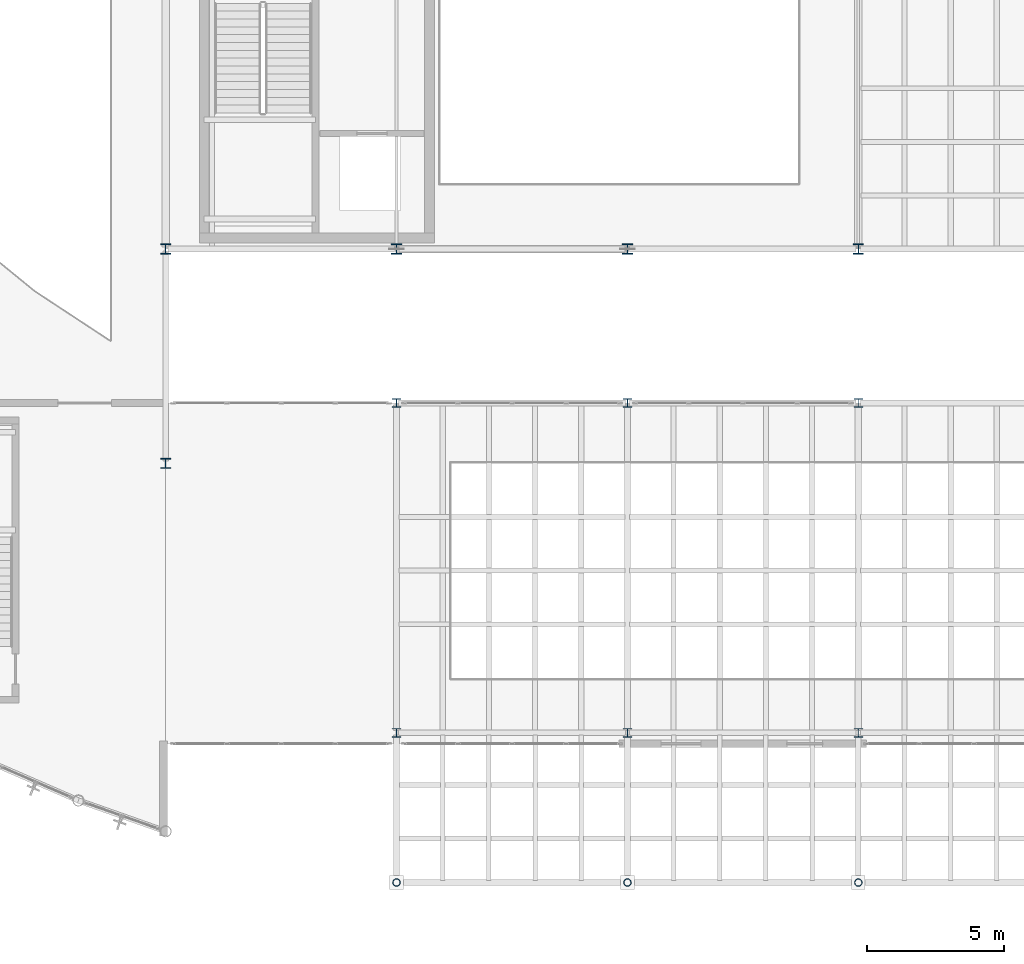
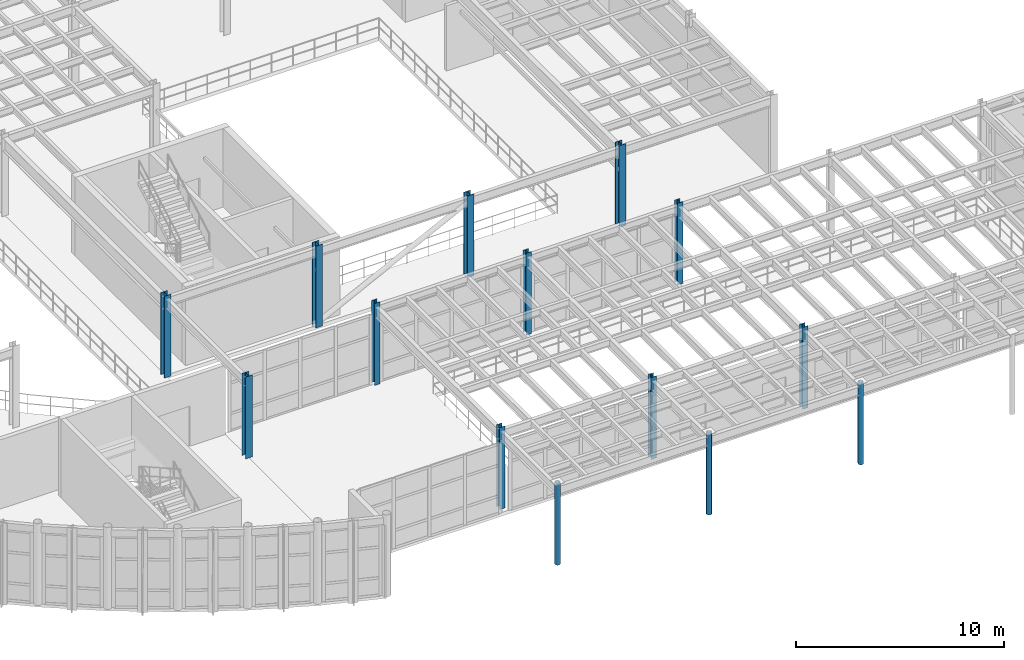
# One storey, part 2 of 105: 14 columns.
"""IFC4 building model written with IfcOpenShell, lengths in metres."""

from ifc_helpers import new_model, si_unit, direction, frame, origin, origin_2d, place, context, subcontext, project, spatial, hollow_circle, i_section, extrude, material, material_profile, profile_set, type_object, element, save


model = new_model("IFC4")

# Units and contexts
model_context = context("Model", 3, precision=1e-05, world=origin(), true_north=direction((0.0, 1.0)))
body_context = subcontext(model_context, "Body", "Model", "MODEL_VIEW")
ifc_project = project(units=[si_unit("LENGTHUNIT", "METRE"), si_unit("AREAUNIT", "SQUARE_METRE"), si_unit("VOLUMEUNIT", "CUBIC_METRE"), si_unit("PLANEANGLEUNIT", "RADIAN"), si_unit("MASSUNIT", "GRAM", prefix="KILO")], contexts=[model_context])

# Site, building, storey
site_placement = place(None, origin())
site = spatial("IfcSite", under=ifc_project, at=site_placement, CompositionType="ELEMENT")
building_placement = place(site_placement, origin())
building = spatial("IfcBuilding", under=site, at=building_placement, Name="Selat Folded Stagehouse", CompositionType="ELEMENT")
storey_placement = place(building_placement, frame((0.0, 0.0, 10.199951171875)))
storey = spatial("IfcBuildingStorey", under=building, at=storey_placement, Name="L02", CompositionType="ELEMENT", Elevation=10.199951171875)

# Columns
ifc_material = material(Name="Steel S355", Category="steel")
ifc_material_profile_1 = material_profile(ifc_material, hollow_circle(Radius=0.136474609375, WallThickness=0.012451171875, at=origin_2d()), Name="CHS 273.0x12.5")
ifc_profile_set_1 = profile_set([ifc_material_profile_1], Name="Steel S355")
column_type_1 = type_object("IfcColumnType", Name="COL-CHS-273x12.5", PredefinedType="COLUMN", material=ifc_profile_set_1)
for number, where, z_axis, x_axis, name in (
    (1, (42.0, 0.35009765625, 0.0), (0.0, 0.0, 1.0), (1.0, 0.0, 0.0), "L02 column STK-COLPOST-42"),
    (2, (50.39990234375, 0.35009765625, 0.0), (0.0, 0.0, 1.0), (1.0, 0.0, 0.0), "L02 column STK-COLPOST-50"),
    (3, (58.800048828125, 0.35009765625, 0.0), (0.0, 0.0, 1.0), (1.0, 0.0, 0.0), "L02 column STK-COLPOST-58"),
):
    element("IfcColumn", number, at=place(storey_placement, frame(where, z_axis=z_axis, x_axis=x_axis)), inside=storey, type_object=column_type_1, Name=name, PredefinedType="COLUMN", context=body_context, shape_type="SweptSolid", body=[
        extrude(hollow_circle(Radius=0.136474609375, WallThickness=0.012451171875, at=origin_2d()), origin(), (0.0, 0.0, 1.0), 4.800048828125),
    ])
ifc_material_profile_2 = material_profile(ifc_material, i_section(OverallWidth=0.305419921875, OverallDepth=0.307861328125, WebThickness=0.010009765625, FlangeThickness=0.015380859375, FilletRadius=0.01513671875, at=origin_2d()), Name="UKC 305x305x97")
ifc_profile_set_2 = profile_set([ifc_material_profile_2], Name="Steel S355")
column_type_2 = type_object("IfcColumnType", Name="COL-UKC-305x305x97", PredefinedType="COLUMN", material=ifc_profile_set_2)
for number, where, z_axis, x_axis, name in (
    (4, (42.0, 5.800048828125, 0.0), (0.0, 0.0, 1.0), (1.0, 0.0, 0.0), "L02 column STK-V5-42-58"),
    (5, (42.0, 17.800048828125, 0.0), (0.0, 0.0, 1.0), (1.0, 0.0, 0.0), "L02 column STK-V5-42-178"),
    (6, (50.39990234375, 5.800048828125, 0.0), (0.0, 0.0, 1.0), (1.0, 0.0, 0.0), "L02 column STK-V5-50-58"),
    (7, (50.39990234375, 17.800048828125, 0.0), (0.0, 0.0, 1.0), (1.0, 0.0, 0.0), "L02 column STK-V5-50-178"),
    (8, (58.800048828125, 5.800048828125, 0.0), (0.0, 0.0, 1.0), (1.0, 0.0, 0.0), "L02 column STK-V5-58-58"),
    (9, (58.800048828125, 17.800048828125, 0.0), (0.0, 0.0, 1.0), (1.0, 0.0, 0.0), "L02 column STK-V5-58-178"),
):
    element("IfcColumn", number, at=place(storey_placement, frame(where, z_axis=z_axis, x_axis=x_axis)), inside=storey, type_object=column_type_2, Name=name, PredefinedType="COLUMN", context=body_context, shape_type="SweptSolid", body=[
        extrude(i_section(OverallWidth=0.305419921875, OverallDepth=0.307861328125, WebThickness=0.010009765625, FlangeThickness=0.015380859375, FilletRadius=0.01513671875, at=origin_2d()), origin(), (0.0, 0.0, 1.0), 4.800048828125),
    ])
ifc_material_profile_3 = material_profile(ifc_material, i_section(OverallWidth=0.37255859375, OverallDepth=0.3681640625, WebThickness=0.014404296875, FlangeThickness=0.023681640625, FilletRadius=0.01513671875, at=origin_2d()), Name="UKC 356x368x177")
ifc_profile_set_3 = profile_set([ifc_material_profile_3], Name="Steel S355")
column_type_3 = type_object("IfcColumnType", Name="COL-UKC-356x368x177", PredefinedType="COLUMN", material=ifc_profile_set_3)
for number, where, z_axis, x_axis, name in (
    (10, (33.60009765625, 15.60009765625, 0.0), (0.0, 0.0, 1.0), (1.0, 0.0, 0.0), "L02 column STK-V2-06"),
    (11, (33.60009765625, 23.39990234375, 0.0), (0.0, 0.0, 1.0), (1.0, 0.0, 0.0), "L02 column STK-V2-07"),
    (12, (42.0, 23.39990234375, 0.0), (0.0, 0.0, 1.0), (1.0, 0.0, 0.0), "L02 column STK-V2-11"),
    (13, (50.39990234375, 23.39990234375, 0.0), (0.0, 0.0, 1.0), (1.0, 0.0, 0.0), "L02 column STK-V2-15"),
    (14, (58.800048828125, 23.39990234375, 0.0), (0.0, 0.0, 1.0), (1.0, 0.0, 0.0), "L02 column STK-V2-18"),
):
    element("IfcColumn", number, at=place(storey_placement, frame(where, z_axis=z_axis, x_axis=x_axis)), inside=storey, type_object=column_type_3, Name=name, PredefinedType="COLUMN", context=body_context, shape_type="SweptSolid", body=[
        extrude(i_section(OverallWidth=0.37255859375, OverallDepth=0.3681640625, WebThickness=0.014404296875, FlangeThickness=0.023681640625, FilletRadius=0.01513671875, at=origin_2d()), origin(), (0.0, 0.0, 1.0), 4.800048828125),
    ])

save(model, "model.ifc")
